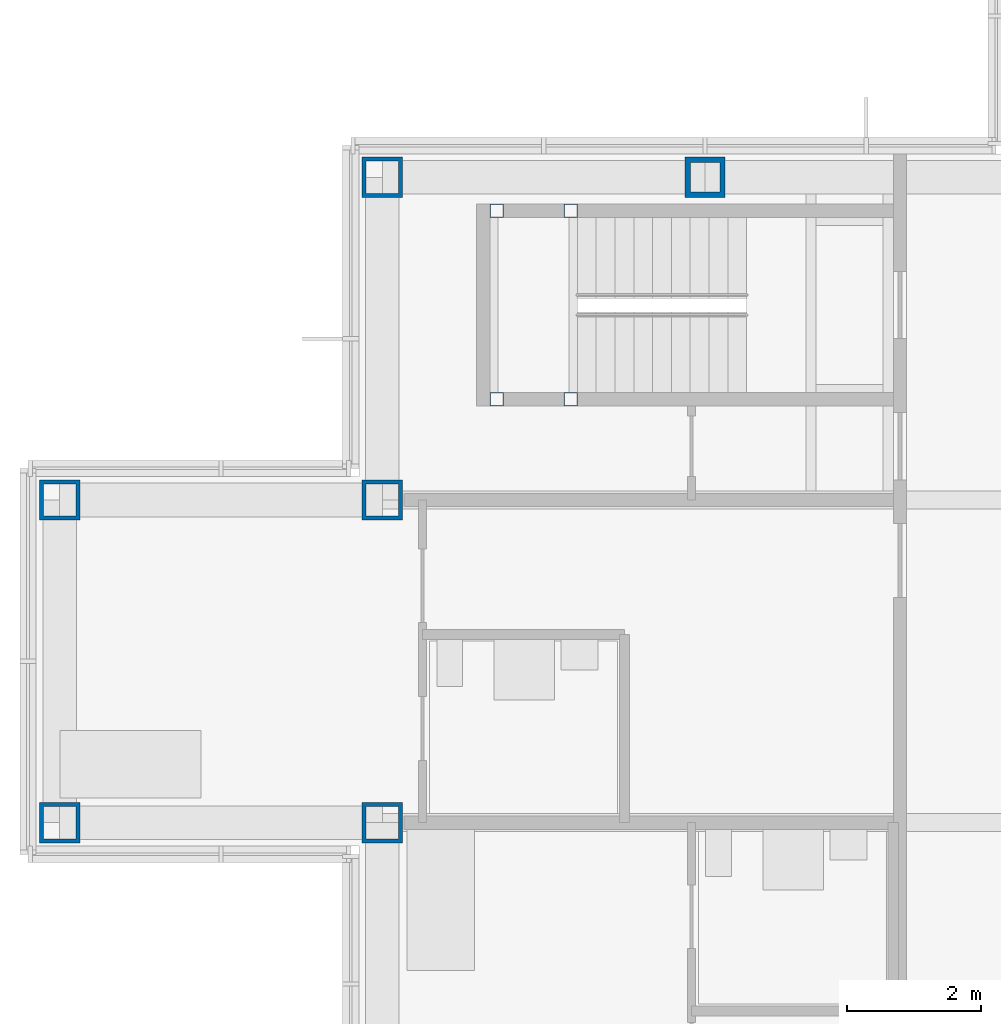
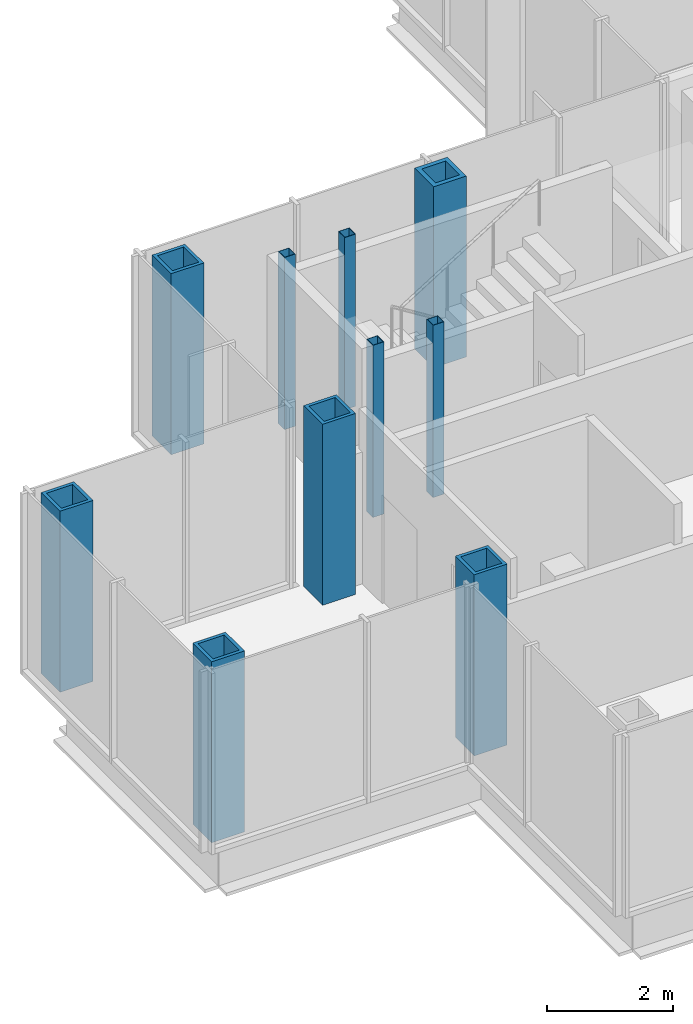
# One storey, part 3 of 17: 10 columns.
"""IFC4 building model written with IfcOpenShell, lengths in metres."""

from ifc_helpers import new_model, si_unit, direction, frame, origin, origin_2d, place, context, subcontext, project, spatial, hollow_rectangle, extrude, material, material_profile, profile_set, type_object, element, save


model = new_model("IFC4")

# Units and contexts
model_context = context("Model", 3, precision=1e-05, world=origin(), true_north=direction((0.0, 1.0)))
body_context = subcontext(model_context, "Body", "Model", "MODEL_VIEW")
ifc_project = project(units=[si_unit("LENGTHUNIT", "METRE"), si_unit("AREAUNIT", "SQUARE_METRE"), si_unit("VOLUMEUNIT", "CUBIC_METRE"), si_unit("PLANEANGLEUNIT", "RADIAN"), si_unit("MASSUNIT", "GRAM", prefix="KILO")], contexts=[model_context])

# Site, building, storey
site_placement = place(None, origin())
site = spatial("IfcSite", under=ifc_project, at=site_placement, CompositionType="ELEMENT")
building_placement = place(site_placement, origin())
building = spatial("IfcBuilding", under=site, at=building_placement, Name="Kvirike Care Tower", CompositionType="ELEMENT")
storey_placement = place(building_placement, frame((0.0, 0.0, 158.5)))
storey = spatial("IfcBuildingStorey", under=building, at=storey_placement, Name="L43", CompositionType="ELEMENT", Elevation=158.5)

# Columns
ifc_material_1 = material(Name="Steel S460", Category="steel")
ifc_material_profile_1 = material_profile(ifc_material_1, hollow_rectangle(XDim=0.60009765625, YDim=0.60009765625, WallThickness=0.06005859375, at=origin_2d()), Name="BX 600x600x60")
ifc_profile_set_1 = profile_set([ifc_material_profile_1], Name="Steel S460")
column_type_1 = type_object("IfcColumnType", Name="COLUMN BX 600x600x60", PredefinedType="COLUMN", material=ifc_profile_set_1)
for number, where, z_axis, x_axis, name in (
    (1, (0.0, 33.60009765625, 0.0), (0.0, 0.0, 1.0), (0.0, 1.0, 0.0), "Column H3 L43"),
    (2, (0.0, 38.39990234375, 0.0), (0.0, 0.0, 1.0), (0.0, 1.0, 0.0), "Column J3 L43"),
    (3, (4.800048828125, 33.60009765625, 0.0), (0.0, 0.0, 1.0), (0.0, 1.0, 0.0), "Column H4 L43"),
    (4, (4.800048828125, 38.39990234375, 0.0), (0.0, 0.0, 1.0), (0.0, 1.0, 0.0), "Column J4 L43"),
    (5, (4.800048828125, 43.199951171875, 0.0), (0.0, 0.0, 1.0), (0.0, 1.0, 0.0), "Column K4 L43"),
):
    element("IfcColumn", number, at=place(storey_placement, frame(where, z_axis=z_axis, x_axis=x_axis)), inside=storey, type_object=column_type_1, Name=name, PredefinedType="COLUMN", context=body_context, shape_type="SweptSolid", body=[
        extrude(hollow_rectangle(XDim=0.60009765625, YDim=0.60009765625, WallThickness=0.06005859375, at=origin_2d()), origin(), (0.0, 0.0, 1.0), 3.5),
    ])
ifc_material_2 = material(Name="Steel S460", Category="steel")
ifc_material_profile_2 = material_profile(ifc_material_2, hollow_rectangle(XDim=0.60009765625, YDim=0.60009765625, WallThickness=0.080078125, at=origin_2d()), Name="BX 600x600x80")
ifc_profile_set_2 = profile_set([ifc_material_profile_2], Name="Steel S460")
column_type_2 = type_object("IfcColumnType", Name="COLUMN BX 600x600x80", PredefinedType="COLUMN", material=ifc_profile_set_2)
column_placement = place(storey_placement, frame((9.60009765625, 43.199951171875, 0.0), z_axis=(0.0, 0.0, 1.0), x_axis=(0.0, 1.0, 0.0)))
element("IfcColumn", 6, at=column_placement, inside=storey, type_object=column_type_2, Name="Column K5 L43", PredefinedType="COLUMN", context=body_context, shape_type="SweptSolid", body=[
    extrude(hollow_rectangle(XDim=0.60009765625, YDim=0.60009765625, WallThickness=0.080078125, at=origin_2d()), origin(), (0.0, 0.0, 1.0), 3.5),
])
ifc_material_3 = material(Name="Steel S460", Category="steel")
ifc_material_profile_3 = material_profile(ifc_material_3, hollow_rectangle(XDim=0.199951171875, YDim=0.199951171875, WallThickness=0.008056640625, at=origin_2d()), Name="SHS 200x200x8")
ifc_profile_set_3 = profile_set([ifc_material_profile_3], Name="Steel S460")
column_type_3 = type_object("IfcColumnType", Name="STAIR POST SHS 200x200x8", PredefinedType="COLUMN", material=ifc_profile_set_3)
for number, where, z_axis, x_axis, name in (
    (7, (6.5, 42.699951171875, 0.0), (0.0, 0.0, 1.0), (1.0, 0.0, 0.0), "Stair 1 post 1 L43"),
    (8, (6.5, 39.89990234375, 0.0), (0.0, 0.0, 1.0), (1.0, 0.0, 0.0), "Stair 1 post 2 L43"),
    (9, (7.60009765625, 42.699951171875, 0.0), (0.0, 0.0, 1.0), (1.0, 0.0, 0.0), "Stair 1 post 3 L43"),
    (10, (7.60009765625, 39.89990234375, 0.0), (0.0, 0.0, 1.0), (1.0, 0.0, 0.0), "Stair 1 post 4 L43"),
):
    element("IfcColumn", number, at=place(storey_placement, frame(where, z_axis=z_axis, x_axis=x_axis)), inside=storey, type_object=column_type_3, Name=name, PredefinedType="COLUMN", context=body_context, shape_type="SweptSolid", body=[
        extrude(hollow_rectangle(XDim=0.199951171875, YDim=0.199951171875, WallThickness=0.008056640625, at=origin_2d()), origin(), (0.0, 0.0, 1.0), 3.330078125),
    ])

save(model, "model.ifc")
